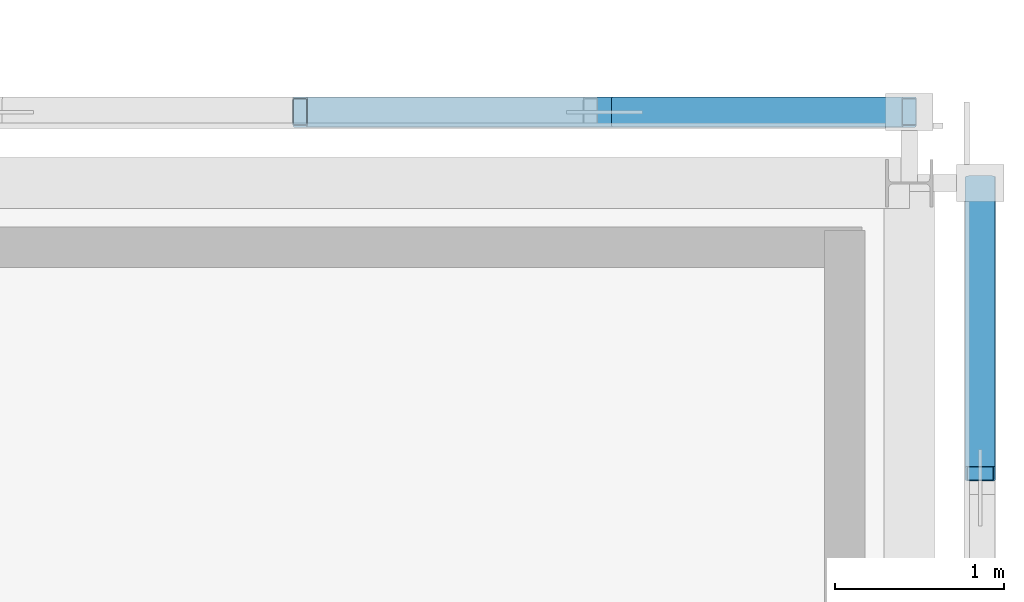
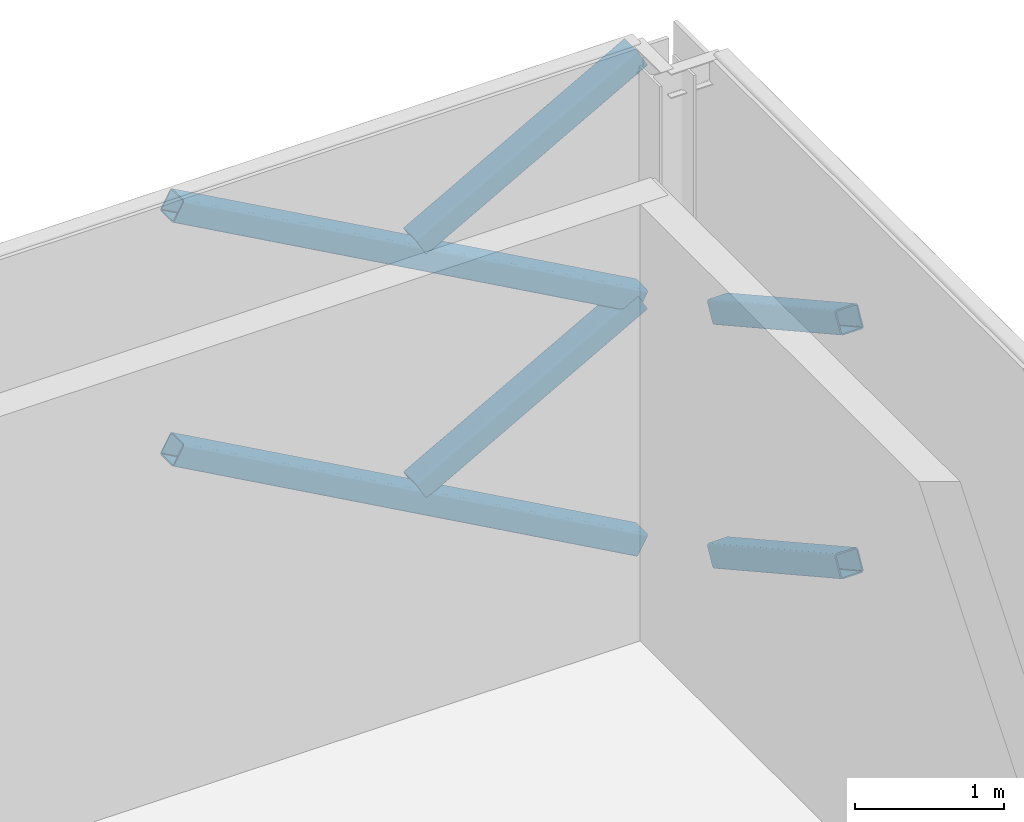
# One storey, part 80 of 146: 6 members.
"""IFC4 building model written with IfcOpenShell, lengths in metres."""

from ifc_helpers import new_model, si_unit, direction, frame, origin, origin_2d, place, context, subcontext, project, spatial, hollow_rectangle, extrude, material, material_profile, profile_set, type_object, element, save


model = new_model("IFC4")

# Units and contexts
model_context = context("Model", 3, precision=1e-05, world=origin(), true_north=direction((0.0, 1.0)))
body_context = subcontext(model_context, "Body", "Model", "MODEL_VIEW")
ifc_project = project(units=[si_unit("LENGTHUNIT", "METRE"), si_unit("AREAUNIT", "SQUARE_METRE"), si_unit("VOLUMEUNIT", "CUBIC_METRE"), si_unit("PLANEANGLEUNIT", "RADIAN"), si_unit("MASSUNIT", "GRAM", prefix="KILO")], contexts=[model_context])

# Site, building, storey
site_placement = place(None, origin())
site = spatial("IfcSite", under=ifc_project, at=site_placement, CompositionType="ELEMENT")
building_placement = place(site_placement, origin())
building = spatial("IfcBuilding", under=site, at=building_placement, Name="Zlatovets Crest Museum", CompositionType="ELEMENT")
storey_placement = place(building_placement, frame((0.0, 0.0, 4.5)))
storey = spatial("IfcBuildingStorey", under=building, at=storey_placement, Name="L01", CompositionType="ELEMENT", Elevation=4.5)

# Members
ifc_material = material(Name="Weathering bronze-steel S355J2W", Category="steel")
ifc_material_profile = material_profile(ifc_material, hollow_rectangle(XDim=0.179931640625, YDim=0.179931640625, WallThickness=0.010009765625, InnerFilletRadius=0.010009765625, OuterFilletRadius=0.02001953125, at=origin_2d()), Name="SHS 180x180x10.0")
ifc_profile_set = profile_set([ifc_material_profile], Name="Weathering bronze-steel S355J2W")
member_type = type_object("IfcMemberType", Name="Lattice_XL-01", PredefinedType="BRACE", material=ifc_profile_set)
for number, where, z_axis, x_axis, name in (
    (1, (166.02001953125, 99.0830078125, 1.053955078125), (0.0, 0.874169001841, -0.485621824284), (-1.0, 0.0, 0.0), "Split Crossing Bronze Lattice Diagonal Lower"),
    (2, (166.02001953125, 99.0830078125, 3.053955078125), (0.0, 0.874169001841, -0.485621824284), (-1.0, 0.0, 0.0), "Split Crossing Bronze Lattice Diagonal Lower"),
):
    element("IfcMember", number, at=place(storey_placement, frame(where, z_axis=z_axis, x_axis=x_axis)), inside=storey, type_object=member_type, Name=name, PredefinedType="BRACE", context=body_context, shape_type="SweptSolid", body=[
        extrude(hollow_rectangle(XDim=0.179931640625, YDim=0.179931640625, WallThickness=0.010009765625, InnerFilletRadius=0.010009765625, OuterFilletRadius=0.02001953125, at=origin_2d()), origin(), (0.0, 0.0, 1.0), 1.964111328125),
    ])
member_1_placement = place(storey_placement, frame((165.60009765625, 101.219970703125, 0.10009765625), z_axis=(-0.874162868644, 0.0, 0.485632864501), x_axis=(0.0, -1.0, 0.0)))
element("IfcMember", 3, at=member_1_placement, inside=storey, type_object=member_type, Name="Continuous Bronze Lattice Diagonal", PredefinedType="BRACE", context=body_context, shape_type="SweptSolid", body=[
    extrude(hollow_rectangle(XDim=0.179931640625, YDim=0.179931640625, WallThickness=0.010009765625, InnerFilletRadius=0.010009765625, OuterFilletRadius=0.02001953125, at=origin_2d()), origin(), (0.0, 0.0, 1.0), 4.118408203125),
])
member_2_placement = place(storey_placement, frame((165.60009765625, 101.219970703125, 2.10009765625), z_axis=(-0.874116234569, 0.0, -0.48571679862), x_axis=(0.0, -1.0, 0.0)))
element("IfcMember", 4, at=member_2_placement, inside=storey, type_object=member_type, Name="Split Crossing Bronze Lattice Diagonal Upper", PredefinedType="BRACE", context=body_context, shape_type="SweptSolid", body=[
    extrude(hollow_rectangle(XDim=0.179931640625, YDim=0.179931640625, WallThickness=0.010009765625, InnerFilletRadius=0.010009765625, OuterFilletRadius=0.02001953125, at=origin_2d()), origin(), (0.0, 0.0, 1.0), 1.96435546875),
])
member_3_placement = place(storey_placement, frame((165.60009765625, 101.219970703125, 2.10009765625), z_axis=(-0.874162868644, 0.0, 0.485632864501), x_axis=(0.0, -1.0, 0.0)))
element("IfcMember", 5, at=member_3_placement, inside=storey, type_object=member_type, Name="Continuous Bronze Lattice Diagonal", PredefinedType="BRACE", context=body_context, shape_type="SweptSolid", body=[
    extrude(hollow_rectangle(XDim=0.179931640625, YDim=0.179931640625, WallThickness=0.010009765625, InnerFilletRadius=0.010009765625, OuterFilletRadius=0.02001953125, at=origin_2d()), origin(), (0.0, 0.0, 1.0), 4.118408203125),
])
member_4_placement = place(storey_placement, frame((165.60009765625, 101.219970703125, 4.10009765625), z_axis=(-0.874116234569, 0.0, -0.48571679862), x_axis=(0.0, -1.0, 0.0)))
element("IfcMember", 6, at=member_4_placement, inside=storey, type_object=member_type, Name="Split Crossing Bronze Lattice Diagonal Upper", PredefinedType="BRACE", context=body_context, shape_type="SweptSolid", body=[
    extrude(hollow_rectangle(XDim=0.179931640625, YDim=0.179931640625, WallThickness=0.010009765625, InnerFilletRadius=0.010009765625, OuterFilletRadius=0.02001953125, at=origin_2d()), origin(), (0.0, 0.0, 1.0), 1.96435546875),
])

save(model, "model.ifc")
